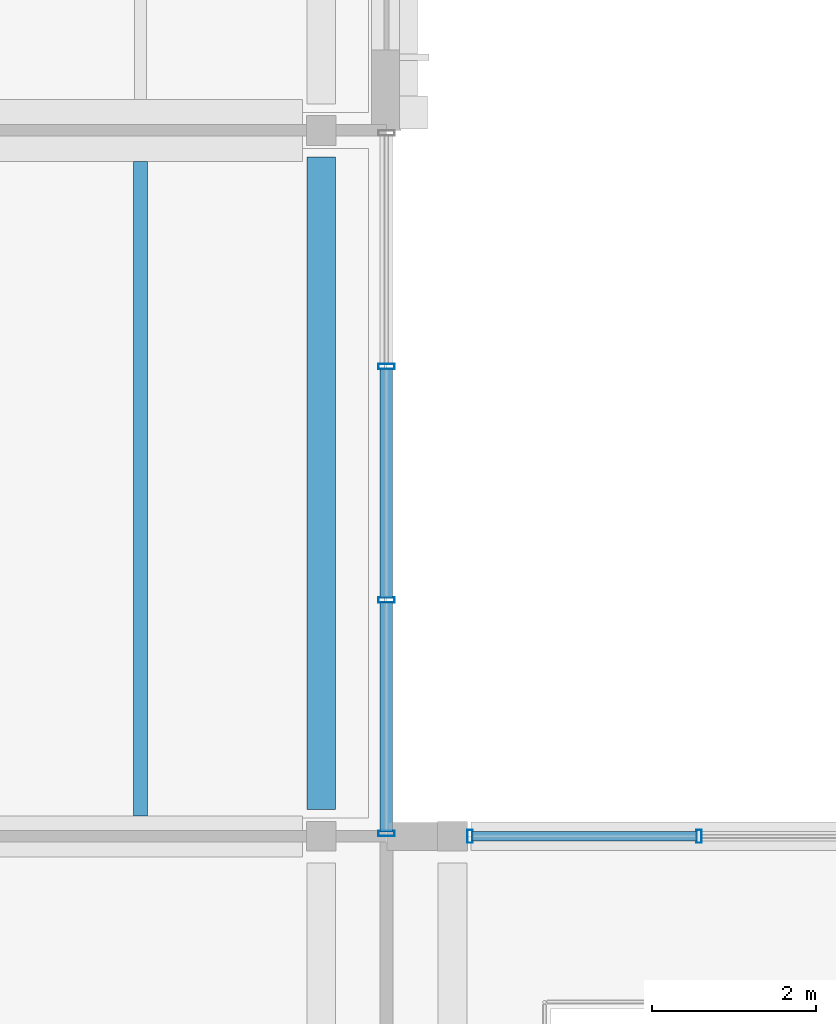
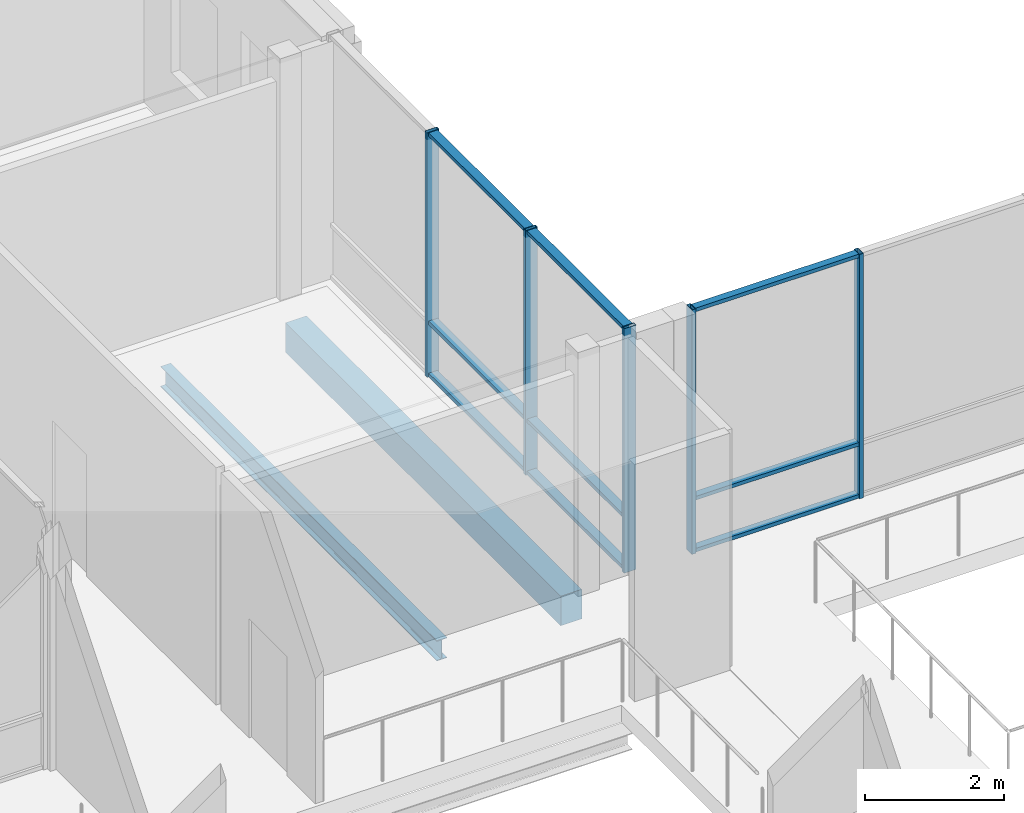
# One storey, part 74 of 146: 14 members, 2 beams, 2 elements without a shape of their own.
"""IFC4 building model written with IfcOpenShell, lengths in metres."""

from ifc_helpers import new_model, si_unit, direction, frame, origin, origin_2d, place, context, subcontext, project, spatial, rectangle, hollow_rectangle, i_section, extrude, material, material_profile, profile_set, type_object, element, aggregate, save


model = new_model("IFC4")

# Units and contexts
model_context = context("Model", 3, precision=1e-05, world=origin(), true_north=direction((0.0, 1.0)))
body_context = subcontext(model_context, "Body", "Model", "MODEL_VIEW")
ifc_project = project(units=[si_unit("LENGTHUNIT", "METRE"), si_unit("AREAUNIT", "SQUARE_METRE"), si_unit("VOLUMEUNIT", "CUBIC_METRE"), si_unit("PLANEANGLEUNIT", "RADIAN"), si_unit("MASSUNIT", "GRAM", prefix="KILO")], contexts=[model_context])

# Site, building, storey
site_placement = place(None, origin())
site = spatial("IfcSite", under=ifc_project, at=site_placement, CompositionType="ELEMENT")
building_placement = place(site_placement, origin())
building = spatial("IfcBuilding", under=site, at=building_placement, Name="Hawrajan Terrace Health Centre", CompositionType="ELEMENT")
storey_placement = place(building_placement, frame((0.0, 0.0, 4.5)))
storey = spatial("IfcBuildingStorey", under=building, at=storey_placement, Name="L01", CompositionType="ELEMENT", Elevation=4.5)

# Curtain wall, members
ifc_material_1 = material(Name="Anodized bronze aluminium and low-E solar glazing", Category="aluminium")
curtain_wall_type_1 = type_object("IfcCurtainWallType", Name="CW_Clerestory_SeriesG3", PredefinedType="USERDEFINED", material=ifc_material_1)
curtain_wall_1_placement = place(storey_placement, origin())
curtain_wall_1 = element("IfcCurtainWall", 1, at=curtain_wall_1_placement, inside=storey, type_object=curtain_wall_type_1, Name="Curtain wall CW-L01-090", ObjectType="UNITISED CURTAIN WALL", PredefinedType="USERDEFINED")
ifc_material_2 = material(Name="Anodized bronze aluminium 6063-T6", Category="aluminium")
ifc_material_profile_1 = material_profile(ifc_material_2, hollow_rectangle(XDim=0.06494140625, YDim=0.159912109375, WallThickness=0.00390625, at=origin_2d()), Name="CW MUL 65x160")
ifc_profile_set_1 = profile_set([ifc_material_profile_1], Name="Anodized bronze aluminium 6063-T6")
member_type_1 = type_object("IfcMemberType", Name="CWMullion_65x160", PredefinedType="MULLION", material=ifc_profile_set_1)
member_1_placement = place(storey_placement, frame((72.8125, 36.800048828125, -0.0048828125), z_axis=(0.0, 0.0, 1.0), x_axis=(1.0, 0.0, 0.0)))
member_1 = element("IfcMember", 2, at=member_1_placement, type_object=member_type_1, Name="Mullion CW-L01-090-M1", PredefinedType="MULLION", context=body_context, shape_type="SweptSolid", body=[
    extrude(hollow_rectangle(XDim=0.06494140625, YDim=0.159912109375, WallThickness=0.00390625, at=origin_2d()), origin(), (0.0, 0.0, 1.0), 4.309814453125),
])
member_2_placement = place(storey_placement, frame((75.604248046875, 36.800048828125, -0.0048828125), z_axis=(0.0, 0.0, 1.0), x_axis=(1.0, 0.0, 0.0)))
member_2 = element("IfcMember", 3, at=member_2_placement, type_object=member_type_1, Name="Mullion CW-L01-090-M2", PredefinedType="MULLION", context=body_context, shape_type="SweptSolid", body=[
    extrude(hollow_rectangle(XDim=0.06494140625, YDim=0.159912109375, WallThickness=0.00390625, at=origin_2d()), origin(), (0.0, 0.0, 1.0), 4.309814453125),
])

curtain_wall_type_2 = type_object("IfcCurtainWallType", Name="CW_Pavilion_SeriesE2", PredefinedType="USERDEFINED", material=ifc_material_1)
curtain_wall_2_placement = place(storey_placement, origin())
curtain_wall_2 = element("IfcCurtainWall", 4, at=curtain_wall_2_placement, inside=storey, type_object=curtain_wall_type_2, Name="Curtain wall CW-L01-085", ObjectType="UNITISED CURTAIN WALL", PredefinedType="USERDEFINED")
ifc_material_profile_2 = material_profile(ifc_material_2, hollow_rectangle(XDim=0.06494140625, YDim=0.199951171875, WallThickness=0.00439453125, at=origin_2d()), Name="CW MUL 65x200")
ifc_profile_set_2 = profile_set([ifc_material_profile_2], Name="Anodized bronze aluminium 6063-T6")
member_type_2 = type_object("IfcMemberType", Name="CWMullion_65x200", PredefinedType="MULLION", material=ifc_profile_set_2)
member_3_placement = place(storey_placement, frame((71.794921875, 36.83251953125, -0.0048828125), z_axis=(0.0, 0.0, 1.0), x_axis=(0.0, 1.0, 0.0)))
member_3 = element("IfcMember", 5, at=member_3_placement, type_object=member_type_2, Name="Mullion CW-L01-085-M1", PredefinedType="MULLION", context=body_context, shape_type="SweptSolid", body=[
    extrude(hollow_rectangle(XDim=0.06494140625, YDim=0.199951171875, WallThickness=0.00439453125, at=origin_2d()), origin(), (0.0, 0.0, 1.0), 4.309814453125),
])
member_4_placement = place(storey_placement, frame((71.794921875, 39.677490234375, -0.0048828125), z_axis=(0.0, 0.0, 1.0), x_axis=(0.0, 1.0, 0.0)))
member_4 = element("IfcMember", 6, at=member_4_placement, type_object=member_type_2, Name="Mullion CW-L01-085-M2", PredefinedType="MULLION", context=body_context, shape_type="SweptSolid", body=[
    extrude(hollow_rectangle(XDim=0.06494140625, YDim=0.199951171875, WallThickness=0.00439453125, at=origin_2d()), origin(), (0.0, 0.0, 1.0), 4.309814453125),
])
member_5_placement = place(storey_placement, frame((71.794921875, 42.5224609375, -0.0048828125), z_axis=(0.0, 0.0, 1.0), x_axis=(0.0, 1.0, 0.0)))
member_5 = element("IfcMember", 7, at=member_5_placement, type_object=member_type_2, Name="Mullion CW-L01-085-M3", PredefinedType="MULLION", context=body_context, shape_type="SweptSolid", body=[
    extrude(hollow_rectangle(XDim=0.06494140625, YDim=0.199951171875, WallThickness=0.00439453125, at=origin_2d()), origin(), (0.0, 0.0, 1.0), 4.309814453125),
])

# Member
ifc_material_profile_3 = material_profile(ifc_material_2, hollow_rectangle(XDim=0.06494140625, YDim=0.1201171875, WallThickness=0.00341796875, at=origin_2d()), Name="CW TRN 65x120")
ifc_profile_set_3 = profile_set([ifc_material_profile_3], Name="Anodized bronze aluminium 6063-T6")
member_type_3 = type_object("IfcMemberType", Name="CWTransom_65x120", PredefinedType="USERDEFINED", material=ifc_profile_set_3)
member_6_placement = place(storey_placement, frame((72.839111328125, 36.800048828125, 0.032470703125), z_axis=(1.0, 0.0, 0.0), x_axis=(0.0, 0.0, 1.0)))
member_6 = element("IfcMember", 8, at=member_6_placement, type_object=member_type_3, Name="Transom CW-L01-090-T1-1", ObjectType="TRANSOM", PredefinedType="USERDEFINED", context=body_context, shape_type="SweptSolid", body=[
    extrude(hollow_rectangle(XDim=0.06494140625, YDim=0.1201171875, WallThickness=0.00341796875, at=origin_2d()), origin(), (0.0, 0.0, 1.0), 2.738525390625),
])

member_7_placement = place(storey_placement, frame((72.839111328125, 36.800048828125, 0.949951171875), z_axis=(1.0, 0.0, 0.0), x_axis=(0.0, 0.0, 1.0)))
member_7 = element("IfcMember", 9, at=member_7_placement, type_object=member_type_3, Name="Transom CW-L01-090-T1-2", ObjectType="TRANSOM", PredefinedType="USERDEFINED", context=body_context, shape_type="SweptSolid", body=[
    extrude(hollow_rectangle(XDim=0.06494140625, YDim=0.1201171875, WallThickness=0.00341796875, at=origin_2d()), origin(), (0.0, 0.0, 1.0), 2.738525390625),
])

member_8_placement = place(storey_placement, frame((72.839111328125, 36.800048828125, 4.267578125), z_axis=(1.0, 0.0, 0.0), x_axis=(0.0, 0.0, 1.0)))
member_8 = element("IfcMember", 10, at=member_8_placement, type_object=member_type_3, Name="Transom CW-L01-090-T1-3", ObjectType="TRANSOM", PredefinedType="USERDEFINED", context=body_context, shape_type="SweptSolid", body=[
    extrude(hollow_rectangle(XDim=0.06494140625, YDim=0.1201171875, WallThickness=0.00341796875, at=origin_2d()), origin(), (0.0, 0.0, 1.0), 2.738525390625),
])

aggregate(curtain_wall_1, [member_1, member_2, member_6, member_7, member_8])

ifc_material_profile_4 = material_profile(ifc_material_2, hollow_rectangle(XDim=0.06494140625, YDim=0.14990234375, WallThickness=0.00390625, at=origin_2d()), Name="CW TRN 65x150")
ifc_profile_set_4 = profile_set([ifc_material_profile_4], Name="Anodized bronze aluminium 6063-T6")
member_type_4 = type_object("IfcMemberType", Name="CWTransom_65x150", PredefinedType="USERDEFINED", material=ifc_profile_set_4)
member_9_placement = place(storey_placement, frame((71.794921875, 36.85888671875, 0.032470703125), z_axis=(0.0, 1.0, 0.0), x_axis=(0.0, 0.0, 1.0)))
member_9 = element("IfcMember", 11, at=member_9_placement, type_object=member_type_4, Name="Transom CW-L01-085-T1-1", ObjectType="TRANSOM", PredefinedType="USERDEFINED", context=body_context, shape_type="SweptSolid", body=[
    extrude(hollow_rectangle(XDim=0.06494140625, YDim=0.14990234375, WallThickness=0.00390625, at=origin_2d()), origin(), (0.0, 0.0, 1.0), 2.7919921875),
])

member_10_placement = place(storey_placement, frame((71.794921875, 36.85888671875, 0.949951171875), z_axis=(0.0, 1.0, 0.0), x_axis=(0.0, 0.0, 1.0)))
member_10 = element("IfcMember", 12, at=member_10_placement, type_object=member_type_4, Name="Transom CW-L01-085-T1-2", ObjectType="TRANSOM", PredefinedType="USERDEFINED", context=body_context, shape_type="SweptSolid", body=[
    extrude(hollow_rectangle(XDim=0.06494140625, YDim=0.14990234375, WallThickness=0.00390625, at=origin_2d()), origin(), (0.0, 0.0, 1.0), 2.7919921875),
])

member_11_placement = place(storey_placement, frame((71.794921875, 36.85888671875, 4.267578125), z_axis=(0.0, 1.0, 0.0), x_axis=(0.0, 0.0, 1.0)))
member_11 = element("IfcMember", 13, at=member_11_placement, type_object=member_type_4, Name="Transom CW-L01-085-T1-3", ObjectType="TRANSOM", PredefinedType="USERDEFINED", context=body_context, shape_type="SweptSolid", body=[
    extrude(hollow_rectangle(XDim=0.06494140625, YDim=0.14990234375, WallThickness=0.00390625, at=origin_2d()), origin(), (0.0, 0.0, 1.0), 2.7919921875),
])

member_12_placement = place(storey_placement, frame((71.794921875, 39.7041015625, 0.032470703125), z_axis=(0.0, 1.0, 0.0), x_axis=(0.0, 0.0, 1.0)))
member_12 = element("IfcMember", 14, at=member_12_placement, type_object=member_type_4, Name="Transom CW-L01-085-T2-1", ObjectType="TRANSOM", PredefinedType="USERDEFINED", context=body_context, shape_type="SweptSolid", body=[
    extrude(hollow_rectangle(XDim=0.06494140625, YDim=0.14990234375, WallThickness=0.00390625, at=origin_2d()), origin(), (0.0, 0.0, 1.0), 2.7919921875),
])

member_13_placement = place(storey_placement, frame((71.794921875, 39.7041015625, 0.949951171875), z_axis=(0.0, 1.0, 0.0), x_axis=(0.0, 0.0, 1.0)))
member_13 = element("IfcMember", 15, at=member_13_placement, type_object=member_type_4, Name="Transom CW-L01-085-T2-2", ObjectType="TRANSOM", PredefinedType="USERDEFINED", context=body_context, shape_type="SweptSolid", body=[
    extrude(hollow_rectangle(XDim=0.06494140625, YDim=0.14990234375, WallThickness=0.00390625, at=origin_2d()), origin(), (0.0, 0.0, 1.0), 2.7919921875),
])

member_14_placement = place(storey_placement, frame((71.794921875, 39.7041015625, 4.267578125), z_axis=(0.0, 1.0, 0.0), x_axis=(0.0, 0.0, 1.0)))
member_14 = element("IfcMember", 16, at=member_14_placement, type_object=member_type_4, Name="Transom CW-L01-085-T2-3", ObjectType="TRANSOM", PredefinedType="USERDEFINED", context=body_context, shape_type="SweptSolid", body=[
    extrude(hollow_rectangle(XDim=0.06494140625, YDim=0.14990234375, WallThickness=0.00390625, at=origin_2d()), origin(), (0.0, 0.0, 1.0), 2.7919921875),
])

aggregate(curtain_wall_2, [member_3, member_4, member_5, member_9, member_10, member_11, member_12, member_13, member_14])

# Beams
ifc_material_3 = material(Name="Concrete C40/50", Category="concrete")
ifc_material_profile_5 = material_profile(ifc_material_3, rectangle(XDim=0.35009765625, YDim=0.52001953125, at=origin_2d()), Name="RC SP 350x520")
ifc_profile_set_5 = profile_set([ifc_material_profile_5], Name="Concrete C40/50")
beam_type_1 = type_object("IfcBeamType", Name="RCSpandrel_350x520", PredefinedType="SPANDREL", material=ifc_profile_set_5)
beam_1_placement = place(storey_placement, frame((71.0, 37.125, -0.56005859375), z_axis=(0.0, 1.0, 0.0), x_axis=(-1.0, 0.0, 0.0)))
element("IfcBeam", 17, at=beam_1_placement, inside=storey, type_object=beam_type_1, Name="Beam BM-Y-L01-W-X10-5", PredefinedType="SPANDREL", context=body_context, shape_type="SweptSolid", body=[
    extrude(rectangle(XDim=0.35009765625, YDim=0.52001953125, at=origin_2d()), origin(), (0.0, 0.0, 1.0), 7.949951171875),
])
ifc_material_4 = material(Name="Steel S355", Category="steel")
ifc_material_profile_6 = material_profile(ifc_material_4, i_section(OverallWidth=0.169921875, OverallDepth=0.360107421875, WebThickness=0.008056640625, FlangeThickness=0.0126953125, FilletRadius=0.01806640625, at=origin_2d()), Name="IPE 360")
ifc_profile_set_6 = profile_set([ifc_material_profile_6], Name="Steel S355")
beam_type_2 = type_object("IfcBeamType", Name="SteelBeam_IPE360", PredefinedType="BEAM", material=ifc_profile_set_6)
beam_2_placement = place(storey_placement, frame((68.800048828125, 37.050048828125, -0.47998046875), z_axis=(0.0, 1.0, 0.0), x_axis=(-1.0, 0.0, 0.0)))
element("IfcBeam", 18, at=beam_2_placement, inside=storey, type_object=beam_type_2, Name="Secondary joist JST-L01-W-09-5-3", PredefinedType="BEAM", context=body_context, shape_type="SweptSolid", body=[
    extrude(i_section(OverallWidth=0.169921875, OverallDepth=0.360107421875, WebThickness=0.008056640625, FlangeThickness=0.0126953125, FilletRadius=0.01806640625, at=origin_2d()), origin(), (0.0, 0.0, 1.0), 7.974853515625),
])

save(model, "model.ifc")
